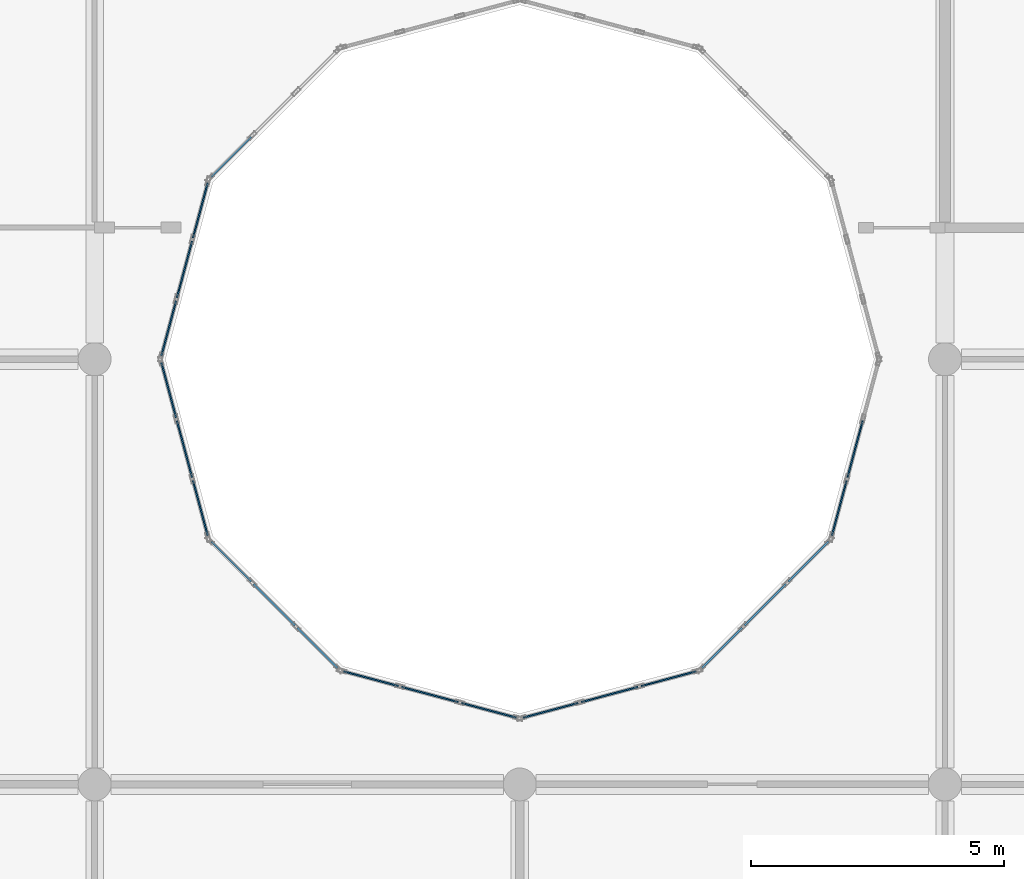
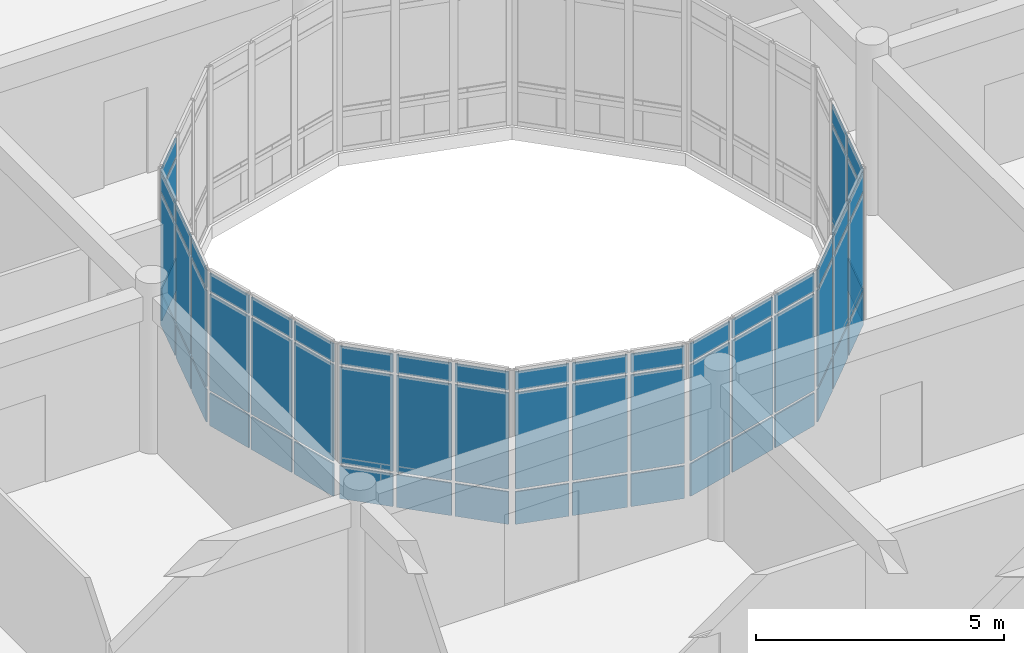
# One storey, part 66 of 119: 63 plates, 8 elements without a shape of their own.
"""IFC4 building model written with IfcOpenShell, lengths in metres."""

from ifc_helpers import new_model, si_unit, direction, frame, origin, origin_2d, place, context, subcontext, project, spatial, rectangle, extrude, material, layer, layer_set, type_object, element, aggregate, save


model = new_model("IFC4")

# Units and contexts
model_context = context("Model", 3, precision=1e-05, world=origin(), true_north=direction((0.0, 1.0)))
body_context = subcontext(model_context, "Body", "Model", "MODEL_VIEW")
ifc_project = project(units=[si_unit("LENGTHUNIT", "METRE"), si_unit("AREAUNIT", "SQUARE_METRE"), si_unit("VOLUMEUNIT", "CUBIC_METRE"), si_unit("PLANEANGLEUNIT", "RADIAN"), si_unit("MASSUNIT", "GRAM", prefix="KILO")], contexts=[model_context])

# Site, building, storey
site_placement = place(None, origin())
site = spatial("IfcSite", under=ifc_project, at=site_placement, CompositionType="ELEMENT")
building_placement = place(site_placement, origin())
building = spatial("IfcBuilding", under=site, at=building_placement, Name="Bramfleet General Hospital", CompositionType="ELEMENT")
storey_placement = place(building_placement, frame((0.0, 0.0, 14.39990234375)))
storey = spatial("IfcBuildingStorey", under=building, at=storey_placement, Name="L03", CompositionType="ELEMENT", Elevation=14.39990234375)

# Curtain wall, plates
ifc_material_1 = material(Name="Anodised aluminium and low-E triple glazing", Category="aluminium")
ifc_layer_1 = layer(ifc_material_1, 0.179931640625, Name="CWT-CW-13")
ifc_layer_set_1 = layer_set([ifc_layer_1], Name="Anodised aluminium and low-E triple glazing")
curtain_wall_type_1 = type_object("IfcCurtainWallType", Name="CWT-CW-13", PredefinedType="USERDEFINED", material=ifc_layer_set_1)
curtain_wall_1_placement = place(storey_placement, origin())
curtain_wall_1 = element("IfcCurtainWall", 1, at=curtain_wall_1_placement, inside=storey, type_object=curtain_wall_type_1, Name="L03 Central Diagnostic Light Court Curtain Wall 1.1", ObjectType="Stick curtain wall", PredefinedType="USERDEFINED")
ifc_material_2 = material(Name="Low-E laminated safety glass", Category="glass")
ifc_layer_2 = layer(ifc_material_2, 0.031982421875, Name="CWP-GLZ-2")
ifc_layer_set_2 = layer_set([ifc_layer_2], Name="Low-E laminated safety glass")
plate_type = type_object("IfcPlateType", Name="CWP-GLZ-2", PredefinedType="CURTAIN_PANEL", material=ifc_layer_set_2)
plate_1_placement = place(storey_placement, frame((77.06298828125, 74.991455078125, 0.06494140625), z_axis=(0.0, 0.0, 1.0), x_axis=(0.258763286618, -0.965940765005, 0.0)))
plate_1 = element("IfcPlate", 2, at=plate_1_placement, type_object=plate_type, Name="CW-13 panel 1.1", PredefinedType="CURTAIN_PANEL", context=body_context, shape_type="SweptSolid", body=[
    extrude(rectangle(XDim=1.1201171875, YDim=0.031982421875, at=origin_2d()), origin(), (0.0, 0.0, 1.0), 0.802490234375),
])
plate_2_placement = place(storey_placement, frame((77.06298828125, 74.991455078125, 0.9326171875), z_axis=(0.0, 0.0, 1.0), x_axis=(0.258763286618, -0.965940765005, 0.0)))
plate_2 = element("IfcPlate", 3, at=plate_2_placement, type_object=plate_type, Name="CW-13 panel 1.2", PredefinedType="CURTAIN_PANEL", context=body_context, shape_type="SweptSolid", body=[
    extrude(rectangle(XDim=1.1201171875, YDim=0.031982421875, at=origin_2d()), origin(), (0.0, 0.0, 1.0), 2.375),
])
plate_3_placement = place(storey_placement, frame((77.06298828125, 74.991455078125, 3.37255859375), z_axis=(0.0, 0.0, 1.0), x_axis=(0.258763286618, -0.965940765005, 0.0)))
plate_3 = element("IfcPlate", 4, at=plate_3_placement, type_object=plate_type, Name="CW-13 panel 1.3", PredefinedType="CURTAIN_PANEL", context=body_context, shape_type="SweptSolid", body=[
    extrude(rectangle(XDim=1.1201171875, YDim=0.031982421875, at=origin_2d()), origin(), (0.0, 0.0, 1.0), 0.452392578125),
])
plate_4_placement = place(storey_placement, frame((77.37548828125, 73.824951171875, 0.06494140625), z_axis=(0.0, 0.0, 1.0), x_axis=(0.258763286618, -0.965940765005, 0.0)))
plate_4 = element("IfcPlate", 5, at=plate_4_placement, type_object=plate_type, Name="CW-13 panel 2.1", PredefinedType="CURTAIN_PANEL", context=body_context, shape_type="SweptSolid", body=[
    extrude(rectangle(XDim=1.155029296875, YDim=0.031982421875, at=origin_2d()), origin(), (0.0, 0.0, 1.0), 0.802490234375),
])
plate_5_placement = place(storey_placement, frame((77.37548828125, 73.824951171875, 0.9326171875), z_axis=(0.0, 0.0, 1.0), x_axis=(0.258763286618, -0.965940765005, 0.0)))
plate_5 = element("IfcPlate", 6, at=plate_5_placement, type_object=plate_type, Name="CW-13 panel 2.2", PredefinedType="CURTAIN_PANEL", context=body_context, shape_type="SweptSolid", body=[
    extrude(rectangle(XDim=1.155029296875, YDim=0.031982421875, at=origin_2d()), origin(), (0.0, 0.0, 1.0), 2.375),
])
plate_6_placement = place(storey_placement, frame((77.37548828125, 73.824951171875, 3.37255859375), z_axis=(0.0, 0.0, 1.0), x_axis=(0.258763286618, -0.965940765005, 0.0)))
plate_6 = element("IfcPlate", 7, at=plate_6_placement, type_object=plate_type, Name="CW-13 panel 2.3", PredefinedType="CURTAIN_PANEL", context=body_context, shape_type="SweptSolid", body=[
    extrude(rectangle(XDim=1.155029296875, YDim=0.031982421875, at=origin_2d()), origin(), (0.0, 0.0, 1.0), 0.452392578125),
])
plate_7_placement = place(storey_placement, frame((77.68798828125, 72.65869140625, 0.06494140625), z_axis=(0.0, 0.0, 1.0), x_axis=(0.258763286618, -0.965940765005, 0.0)))
plate_7 = element("IfcPlate", 8, at=plate_7_placement, type_object=plate_type, Name="CW-13 panel 3.1", PredefinedType="CURTAIN_PANEL", context=body_context, shape_type="SweptSolid", body=[
    extrude(rectangle(XDim=1.1201171875, YDim=0.031982421875, at=origin_2d()), origin(), (0.0, 0.0, 1.0), 0.802490234375),
])
plate_8_placement = place(storey_placement, frame((77.68798828125, 72.65869140625, 0.9326171875), z_axis=(0.0, 0.0, 1.0), x_axis=(0.258763286618, -0.965940765005, 0.0)))
plate_8 = element("IfcPlate", 9, at=plate_8_placement, type_object=plate_type, Name="CW-13 panel 3.2", PredefinedType="CURTAIN_PANEL", context=body_context, shape_type="SweptSolid", body=[
    extrude(rectangle(XDim=1.1201171875, YDim=0.031982421875, at=origin_2d()), origin(), (0.0, 0.0, 1.0), 2.375),
])
plate_9_placement = place(storey_placement, frame((77.68798828125, 72.65869140625, 3.37255859375), z_axis=(0.0, 0.0, 1.0), x_axis=(0.258763286618, -0.965940765005, 0.0)))
plate_9 = element("IfcPlate", 10, at=plate_9_placement, type_object=plate_type, Name="CW-13 panel 3.3", PredefinedType="CURTAIN_PANEL", context=body_context, shape_type="SweptSolid", body=[
    extrude(rectangle(XDim=1.1201171875, YDim=0.031982421875, at=origin_2d()), origin(), (0.0, 0.0, 1.0), 0.452392578125),
])
aggregate(curtain_wall_1, [plate_1, plate_2, plate_3, plate_4, plate_5, plate_6, plate_7, plate_8, plate_9])

ifc_layer_3 = layer(ifc_material_1, 0.179931640625, Name="CWT-CW-14")
ifc_layer_set_3 = layer_set([ifc_layer_3], Name="Anodised aluminium and low-E triple glazing")
curtain_wall_type_2 = type_object("IfcCurtainWallType", Name="CWT-CW-14", PredefinedType="USERDEFINED", material=ifc_layer_set_3)
curtain_wall_2_placement = place(storey_placement, origin())
curtain_wall_2 = element("IfcCurtainWall", 11, at=curtain_wall_2_placement, inside=storey, type_object=curtain_wall_type_2, Name="L03 Central Diagnostic Light Court Curtain Wall 2.1", ObjectType="Stick curtain wall", PredefinedType="USERDEFINED")
plate_10_placement = place(storey_placement, frame((78.296630859375, 71.6044921875, 0.06494140625), z_axis=(0.0, 0.0, 1.0), x_axis=(0.707106781187, -0.707106781187, 0.0)))
plate_10 = element("IfcPlate", 12, at=plate_10_placement, type_object=plate_type, Name="CW-14 panel 1.1", PredefinedType="CURTAIN_PANEL", context=body_context, shape_type="SweptSolid", body=[
    extrude(rectangle(XDim=1.1201171875, YDim=0.031982421875, at=origin_2d()), origin(), (0.0, 0.0, 1.0), 0.802490234375),
])
plate_11_placement = place(storey_placement, frame((78.296630859375, 71.6044921875, 0.9326171875), z_axis=(0.0, 0.0, 1.0), x_axis=(0.707106781187, -0.707106781187, 0.0)))
plate_11 = element("IfcPlate", 13, at=plate_11_placement, type_object=plate_type, Name="CW-14 panel 1.2", PredefinedType="CURTAIN_PANEL", context=body_context, shape_type="SweptSolid", body=[
    extrude(rectangle(XDim=1.1201171875, YDim=0.031982421875, at=origin_2d()), origin(), (0.0, 0.0, 1.0), 2.375),
])
plate_12_placement = place(storey_placement, frame((78.296630859375, 71.6044921875, 3.37255859375), z_axis=(0.0, 0.0, 1.0), x_axis=(0.707106781187, -0.707106781187, 0.0)))
plate_12 = element("IfcPlate", 14, at=plate_12_placement, type_object=plate_type, Name="CW-14 panel 1.3", PredefinedType="CURTAIN_PANEL", context=body_context, shape_type="SweptSolid", body=[
    extrude(rectangle(XDim=1.1201171875, YDim=0.031982421875, at=origin_2d()), origin(), (0.0, 0.0, 1.0), 0.452392578125),
])
plate_13_placement = place(storey_placement, frame((79.150390625, 70.75048828125, 0.06494140625), z_axis=(0.0, 0.0, 1.0), x_axis=(0.707106781187, -0.707106781187, 0.0)))
plate_13 = element("IfcPlate", 15, at=plate_13_placement, type_object=plate_type, Name="CW-14 panel 2.1", PredefinedType="CURTAIN_PANEL", context=body_context, shape_type="SweptSolid", body=[
    extrude(rectangle(XDim=1.1552734375, YDim=0.031982421875, at=origin_2d()), origin(), (0.0, 0.0, 1.0), 0.802490234375),
])
plate_14_placement = place(storey_placement, frame((79.150390625, 70.75048828125, 0.9326171875), z_axis=(0.0, 0.0, 1.0), x_axis=(0.707106781187, -0.707106781187, 0.0)))
plate_14 = element("IfcPlate", 16, at=plate_14_placement, type_object=plate_type, Name="CW-14 panel 2.2", PredefinedType="CURTAIN_PANEL", context=body_context, shape_type="SweptSolid", body=[
    extrude(rectangle(XDim=1.1552734375, YDim=0.031982421875, at=origin_2d()), origin(), (0.0, 0.0, 1.0), 2.375),
])
plate_15_placement = place(storey_placement, frame((79.150390625, 70.75048828125, 3.37255859375), z_axis=(0.0, 0.0, 1.0), x_axis=(0.707106781187, -0.707106781187, 0.0)))
plate_15 = element("IfcPlate", 17, at=plate_15_placement, type_object=plate_type, Name="CW-14 panel 2.3", PredefinedType="CURTAIN_PANEL", context=body_context, shape_type="SweptSolid", body=[
    extrude(rectangle(XDim=1.1552734375, YDim=0.031982421875, at=origin_2d()), origin(), (0.0, 0.0, 1.0), 0.452392578125),
])
plate_16_placement = place(storey_placement, frame((80.00439453125, 69.896484375, 0.06494140625), z_axis=(0.0, 0.0, 1.0), x_axis=(0.707106781187, -0.707106781187, 0.0)))
plate_16 = element("IfcPlate", 18, at=plate_16_placement, type_object=plate_type, Name="CW-14 panel 3.1", PredefinedType="CURTAIN_PANEL", context=body_context, shape_type="SweptSolid", body=[
    extrude(rectangle(XDim=1.1201171875, YDim=0.031982421875, at=origin_2d()), origin(), (0.0, 0.0, 1.0), 0.802490234375),
])
plate_17_placement = place(storey_placement, frame((80.00439453125, 69.896484375, 0.9326171875), z_axis=(0.0, 0.0, 1.0), x_axis=(0.707106781187, -0.707106781187, 0.0)))
plate_17 = element("IfcPlate", 19, at=plate_17_placement, type_object=plate_type, Name="CW-14 panel 3.2", PredefinedType="CURTAIN_PANEL", context=body_context, shape_type="SweptSolid", body=[
    extrude(rectangle(XDim=1.1201171875, YDim=0.031982421875, at=origin_2d()), origin(), (0.0, 0.0, 1.0), 2.375),
])
plate_18_placement = place(storey_placement, frame((80.00439453125, 69.896484375, 3.37255859375), z_axis=(0.0, 0.0, 1.0), x_axis=(0.707106781187, -0.707106781187, 0.0)))
plate_18 = element("IfcPlate", 20, at=plate_18_placement, type_object=plate_type, Name="CW-14 panel 3.3", PredefinedType="CURTAIN_PANEL", context=body_context, shape_type="SweptSolid", body=[
    extrude(rectangle(XDim=1.1201171875, YDim=0.031982421875, at=origin_2d()), origin(), (0.0, 0.0, 1.0), 0.452392578125),
])
aggregate(curtain_wall_2, [plate_10, plate_11, plate_12, plate_13, plate_14, plate_15, plate_16, plate_17, plate_18])

ifc_layer_4 = layer(ifc_material_1, 0.179931640625, Name="CWT-CW-15")
ifc_layer_set_4 = layer_set([ifc_layer_4], Name="Anodised aluminium and low-E triple glazing")
curtain_wall_type_3 = type_object("IfcCurtainWallType", Name="CWT-CW-15", PredefinedType="USERDEFINED", material=ifc_layer_set_4)
curtain_wall_3_placement = place(storey_placement, origin())
curtain_wall_3 = element("IfcCurtainWall", 21, at=curtain_wall_3_placement, inside=storey, type_object=curtain_wall_type_3, Name="L03 Central Diagnostic Light Court Curtain Wall 3.1", ObjectType="Stick curtain wall", PredefinedType="USERDEFINED")
plate_19_placement = place(storey_placement, frame((81.05859375, 69.2880859375, 0.06494140625), z_axis=(0.0, 0.0, 1.0), x_axis=(0.965940765005, -0.258763286618, 0.0)))
plate_19 = element("IfcPlate", 22, at=plate_19_placement, type_object=plate_type, Name="CW-15 panel 1.1", PredefinedType="CURTAIN_PANEL", context=body_context, shape_type="SweptSolid", body=[
    extrude(rectangle(XDim=1.1201171875, YDim=0.031982421875, at=origin_2d()), origin(), (0.0, 0.0, 1.0), 0.802490234375),
])
plate_20_placement = place(storey_placement, frame((81.05859375, 69.2880859375, 0.9326171875), z_axis=(0.0, 0.0, 1.0), x_axis=(0.965940765005, -0.258763286618, 0.0)))
plate_20 = element("IfcPlate", 23, at=plate_20_placement, type_object=plate_type, Name="CW-15 panel 1.2", PredefinedType="CURTAIN_PANEL", context=body_context, shape_type="SweptSolid", body=[
    extrude(rectangle(XDim=1.1201171875, YDim=0.031982421875, at=origin_2d()), origin(), (0.0, 0.0, 1.0), 2.375),
])
plate_21_placement = place(storey_placement, frame((81.05859375, 69.2880859375, 3.37255859375), z_axis=(0.0, 0.0, 1.0), x_axis=(0.965940765005, -0.258763286618, 0.0)))
plate_21 = element("IfcPlate", 24, at=plate_21_placement, type_object=plate_type, Name="CW-15 panel 1.3", PredefinedType="CURTAIN_PANEL", context=body_context, shape_type="SweptSolid", body=[
    extrude(rectangle(XDim=1.1201171875, YDim=0.031982421875, at=origin_2d()), origin(), (0.0, 0.0, 1.0), 0.452392578125),
])
plate_22_placement = place(storey_placement, frame((82.22509765625, 68.9755859375, 0.06494140625), z_axis=(0.0, 0.0, 1.0), x_axis=(0.965940765005, -0.258763286618, 0.0)))
plate_22 = element("IfcPlate", 25, at=plate_22_placement, type_object=plate_type, Name="CW-15 panel 2.1", PredefinedType="CURTAIN_PANEL", context=body_context, shape_type="SweptSolid", body=[
    extrude(rectangle(XDim=1.155029296875, YDim=0.031982421875, at=origin_2d()), origin(), (0.0, 0.0, 1.0), 0.802490234375),
])
plate_23_placement = place(storey_placement, frame((82.22509765625, 68.9755859375, 0.9326171875), z_axis=(0.0, 0.0, 1.0), x_axis=(0.965940765005, -0.258763286618, 0.0)))
plate_23 = element("IfcPlate", 26, at=plate_23_placement, type_object=plate_type, Name="CW-15 panel 2.2", PredefinedType="CURTAIN_PANEL", context=body_context, shape_type="SweptSolid", body=[
    extrude(rectangle(XDim=1.155029296875, YDim=0.031982421875, at=origin_2d()), origin(), (0.0, 0.0, 1.0), 2.375),
])
plate_24_placement = place(storey_placement, frame((82.22509765625, 68.9755859375, 3.37255859375), z_axis=(0.0, 0.0, 1.0), x_axis=(0.965940765005, -0.258763286618, 0.0)))
plate_24 = element("IfcPlate", 27, at=plate_24_placement, type_object=plate_type, Name="CW-15 panel 2.3", PredefinedType="CURTAIN_PANEL", context=body_context, shape_type="SweptSolid", body=[
    extrude(rectangle(XDim=1.155029296875, YDim=0.031982421875, at=origin_2d()), origin(), (0.0, 0.0, 1.0), 0.452392578125),
])
plate_25_placement = place(storey_placement, frame((83.391357421875, 68.6630859375, 0.06494140625), z_axis=(0.0, 0.0, 1.0), x_axis=(0.965940765005, -0.258763286618, 0.0)))
plate_25 = element("IfcPlate", 28, at=plate_25_placement, type_object=plate_type, Name="CW-15 panel 3.1", PredefinedType="CURTAIN_PANEL", context=body_context, shape_type="SweptSolid", body=[
    extrude(rectangle(XDim=1.1201171875, YDim=0.031982421875, at=origin_2d()), origin(), (0.0, 0.0, 1.0), 0.802490234375),
])
plate_26_placement = place(storey_placement, frame((83.391357421875, 68.6630859375, 0.9326171875), z_axis=(0.0, 0.0, 1.0), x_axis=(0.965940765005, -0.258763286618, 0.0)))
plate_26 = element("IfcPlate", 29, at=plate_26_placement, type_object=plate_type, Name="CW-15 panel 3.2", PredefinedType="CURTAIN_PANEL", context=body_context, shape_type="SweptSolid", body=[
    extrude(rectangle(XDim=1.1201171875, YDim=0.031982421875, at=origin_2d()), origin(), (0.0, 0.0, 1.0), 2.375),
])
plate_27_placement = place(storey_placement, frame((83.391357421875, 68.6630859375, 3.37255859375), z_axis=(0.0, 0.0, 1.0), x_axis=(0.965940765005, -0.258763286618, 0.0)))
plate_27 = element("IfcPlate", 30, at=plate_27_placement, type_object=plate_type, Name="CW-15 panel 3.3", PredefinedType="CURTAIN_PANEL", context=body_context, shape_type="SweptSolid", body=[
    extrude(rectangle(XDim=1.1201171875, YDim=0.031982421875, at=origin_2d()), origin(), (0.0, 0.0, 1.0), 0.452392578125),
])
aggregate(curtain_wall_3, [plate_19, plate_20, plate_21, plate_22, plate_23, plate_24, plate_25, plate_26, plate_27])

ifc_layer_5 = layer(ifc_material_1, 0.179931640625, Name="CWT-CW-16")
ifc_layer_set_5 = layer_set([ifc_layer_5], Name="Anodised aluminium and low-E triple glazing")
curtain_wall_type_4 = type_object("IfcCurtainWallType", Name="CWT-CW-16", PredefinedType="USERDEFINED", material=ifc_layer_set_5)
curtain_wall_4_placement = place(storey_placement, origin())
curtain_wall_4 = element("IfcCurtainWall", 31, at=curtain_wall_4_placement, inside=storey, type_object=curtain_wall_type_4, Name="L03 Central Diagnostic Light Court Curtain Wall 4.1", ObjectType="Stick curtain wall", PredefinedType="USERDEFINED")
plate_28_placement = place(storey_placement, frame((84.608642578125, 68.6630859375, 0.06494140625), z_axis=(0.0, 0.0, 1.0), x_axis=(0.965940765005, 0.258763286618, 0.0)))
plate_28 = element("IfcPlate", 32, at=plate_28_placement, type_object=plate_type, Name="CW-16 panel 1.1", PredefinedType="CURTAIN_PANEL", context=body_context, shape_type="SweptSolid", body=[
    extrude(rectangle(XDim=1.1201171875, YDim=0.031982421875, at=origin_2d()), origin(), (0.0, 0.0, 1.0), 0.802490234375),
])
plate_29_placement = place(storey_placement, frame((84.608642578125, 68.6630859375, 0.9326171875), z_axis=(0.0, 0.0, 1.0), x_axis=(0.965940765005, 0.258763286618, 0.0)))
plate_29 = element("IfcPlate", 33, at=plate_29_placement, type_object=plate_type, Name="CW-16 panel 1.2", PredefinedType="CURTAIN_PANEL", context=body_context, shape_type="SweptSolid", body=[
    extrude(rectangle(XDim=1.1201171875, YDim=0.031982421875, at=origin_2d()), origin(), (0.0, 0.0, 1.0), 2.375),
])
plate_30_placement = place(storey_placement, frame((84.608642578125, 68.6630859375, 3.37255859375), z_axis=(0.0, 0.0, 1.0), x_axis=(0.965940765005, 0.258763286618, 0.0)))
plate_30 = element("IfcPlate", 34, at=plate_30_placement, type_object=plate_type, Name="CW-16 panel 1.3", PredefinedType="CURTAIN_PANEL", context=body_context, shape_type="SweptSolid", body=[
    extrude(rectangle(XDim=1.1201171875, YDim=0.031982421875, at=origin_2d()), origin(), (0.0, 0.0, 1.0), 0.452392578125),
])
plate_31_placement = place(storey_placement, frame((85.77490234375, 68.9755859375, 0.06494140625), z_axis=(0.0, 0.0, 1.0), x_axis=(0.965940765005, 0.258763286618, 0.0)))
plate_31 = element("IfcPlate", 35, at=plate_31_placement, type_object=plate_type, Name="CW-16 panel 2.1", PredefinedType="CURTAIN_PANEL", context=body_context, shape_type="SweptSolid", body=[
    extrude(rectangle(XDim=1.155029296875, YDim=0.031982421875, at=origin_2d()), origin(), (0.0, 0.0, 1.0), 0.802490234375),
])
plate_32_placement = place(storey_placement, frame((85.77490234375, 68.9755859375, 0.9326171875), z_axis=(0.0, 0.0, 1.0), x_axis=(0.965940765005, 0.258763286618, 0.0)))
plate_32 = element("IfcPlate", 36, at=plate_32_placement, type_object=plate_type, Name="CW-16 panel 2.2", PredefinedType="CURTAIN_PANEL", context=body_context, shape_type="SweptSolid", body=[
    extrude(rectangle(XDim=1.155029296875, YDim=0.031982421875, at=origin_2d()), origin(), (0.0, 0.0, 1.0), 2.375),
])
plate_33_placement = place(storey_placement, frame((85.77490234375, 68.9755859375, 3.37255859375), z_axis=(0.0, 0.0, 1.0), x_axis=(0.965940765005, 0.258763286618, 0.0)))
plate_33 = element("IfcPlate", 37, at=plate_33_placement, type_object=plate_type, Name="CW-16 panel 2.3", PredefinedType="CURTAIN_PANEL", context=body_context, shape_type="SweptSolid", body=[
    extrude(rectangle(XDim=1.155029296875, YDim=0.031982421875, at=origin_2d()), origin(), (0.0, 0.0, 1.0), 0.452392578125),
])
plate_34_placement = place(storey_placement, frame((86.94140625, 69.2880859375, 0.06494140625), z_axis=(0.0, 0.0, 1.0), x_axis=(0.965940765005, 0.258763286618, 0.0)))
plate_34 = element("IfcPlate", 38, at=plate_34_placement, type_object=plate_type, Name="CW-16 panel 3.1", PredefinedType="CURTAIN_PANEL", context=body_context, shape_type="SweptSolid", body=[
    extrude(rectangle(XDim=1.1201171875, YDim=0.031982421875, at=origin_2d()), origin(), (0.0, 0.0, 1.0), 0.802490234375),
])
plate_35_placement = place(storey_placement, frame((86.94140625, 69.2880859375, 0.9326171875), z_axis=(0.0, 0.0, 1.0), x_axis=(0.965940765005, 0.258763286618, 0.0)))
plate_35 = element("IfcPlate", 39, at=plate_35_placement, type_object=plate_type, Name="CW-16 panel 3.2", PredefinedType="CURTAIN_PANEL", context=body_context, shape_type="SweptSolid", body=[
    extrude(rectangle(XDim=1.1201171875, YDim=0.031982421875, at=origin_2d()), origin(), (0.0, 0.0, 1.0), 2.375),
])
plate_36_placement = place(storey_placement, frame((86.94140625, 69.2880859375, 3.37255859375), z_axis=(0.0, 0.0, 1.0), x_axis=(0.965940765005, 0.258763286618, 0.0)))
plate_36 = element("IfcPlate", 40, at=plate_36_placement, type_object=plate_type, Name="CW-16 panel 3.3", PredefinedType="CURTAIN_PANEL", context=body_context, shape_type="SweptSolid", body=[
    extrude(rectangle(XDim=1.1201171875, YDim=0.031982421875, at=origin_2d()), origin(), (0.0, 0.0, 1.0), 0.452392578125),
])
aggregate(curtain_wall_4, [plate_28, plate_29, plate_30, plate_31, plate_32, plate_33, plate_34, plate_35, plate_36])

ifc_layer_6 = layer(ifc_material_1, 0.179931640625, Name="CWT-CW-17")
ifc_layer_set_6 = layer_set([ifc_layer_6], Name="Anodised aluminium and low-E triple glazing")
curtain_wall_type_5 = type_object("IfcCurtainWallType", Name="CWT-CW-17", PredefinedType="USERDEFINED", material=ifc_layer_set_6)
curtain_wall_5_placement = place(storey_placement, origin())
curtain_wall_5 = element("IfcCurtainWall", 41, at=curtain_wall_5_placement, inside=storey, type_object=curtain_wall_type_5, Name="L03 Central Diagnostic Light Court Curtain Wall 5.1", ObjectType="Stick curtain wall", PredefinedType="USERDEFINED")
plate_37_placement = place(storey_placement, frame((87.99560546875, 69.896484375, 0.06494140625), z_axis=(0.0, 0.0, 1.0), x_axis=(0.707106781187, 0.707106781187, 0.0)))
plate_37 = element("IfcPlate", 42, at=plate_37_placement, type_object=plate_type, Name="CW-17 panel 1.1", PredefinedType="CURTAIN_PANEL", context=body_context, shape_type="SweptSolid", body=[
    extrude(rectangle(XDim=1.1201171875, YDim=0.031982421875, at=origin_2d()), origin(), (0.0, 0.0, 1.0), 0.802490234375),
])
plate_38_placement = place(storey_placement, frame((87.99560546875, 69.896484375, 0.9326171875), z_axis=(0.0, 0.0, 1.0), x_axis=(0.707106781187, 0.707106781187, 0.0)))
plate_38 = element("IfcPlate", 43, at=plate_38_placement, type_object=plate_type, Name="CW-17 panel 1.2", PredefinedType="CURTAIN_PANEL", context=body_context, shape_type="SweptSolid", body=[
    extrude(rectangle(XDim=1.1201171875, YDim=0.031982421875, at=origin_2d()), origin(), (0.0, 0.0, 1.0), 2.375),
])
plate_39_placement = place(storey_placement, frame((87.99560546875, 69.896484375, 3.37255859375), z_axis=(0.0, 0.0, 1.0), x_axis=(0.707106781187, 0.707106781187, 0.0)))
plate_39 = element("IfcPlate", 44, at=plate_39_placement, type_object=plate_type, Name="CW-17 panel 1.3", PredefinedType="CURTAIN_PANEL", context=body_context, shape_type="SweptSolid", body=[
    extrude(rectangle(XDim=1.1201171875, YDim=0.031982421875, at=origin_2d()), origin(), (0.0, 0.0, 1.0), 0.452392578125),
])
plate_40_placement = place(storey_placement, frame((88.849609375, 70.75048828125, 0.06494140625), z_axis=(0.0, 0.0, 1.0), x_axis=(0.707106781187, 0.707106781187, 0.0)))
plate_40 = element("IfcPlate", 45, at=plate_40_placement, type_object=plate_type, Name="CW-17 panel 2.1", PredefinedType="CURTAIN_PANEL", context=body_context, shape_type="SweptSolid", body=[
    extrude(rectangle(XDim=1.1552734375, YDim=0.031982421875, at=origin_2d()), origin(), (0.0, 0.0, 1.0), 0.802490234375),
])
plate_41_placement = place(storey_placement, frame((88.849609375, 70.75048828125, 0.9326171875), z_axis=(0.0, 0.0, 1.0), x_axis=(0.707106781187, 0.707106781187, 0.0)))
plate_41 = element("IfcPlate", 46, at=plate_41_placement, type_object=plate_type, Name="CW-17 panel 2.2", PredefinedType="CURTAIN_PANEL", context=body_context, shape_type="SweptSolid", body=[
    extrude(rectangle(XDim=1.1552734375, YDim=0.031982421875, at=origin_2d()), origin(), (0.0, 0.0, 1.0), 2.375),
])
plate_42_placement = place(storey_placement, frame((88.849609375, 70.75048828125, 3.37255859375), z_axis=(0.0, 0.0, 1.0), x_axis=(0.707106781187, 0.707106781187, 0.0)))
plate_42 = element("IfcPlate", 47, at=plate_42_placement, type_object=plate_type, Name="CW-17 panel 2.3", PredefinedType="CURTAIN_PANEL", context=body_context, shape_type="SweptSolid", body=[
    extrude(rectangle(XDim=1.1552734375, YDim=0.031982421875, at=origin_2d()), origin(), (0.0, 0.0, 1.0), 0.452392578125),
])
plate_43_placement = place(storey_placement, frame((89.703369140625, 71.6044921875, 0.06494140625), z_axis=(0.0, 0.0, 1.0), x_axis=(0.707106781187, 0.707106781187, 0.0)))
plate_43 = element("IfcPlate", 48, at=plate_43_placement, type_object=plate_type, Name="CW-17 panel 3.1", PredefinedType="CURTAIN_PANEL", context=body_context, shape_type="SweptSolid", body=[
    extrude(rectangle(XDim=1.1201171875, YDim=0.031982421875, at=origin_2d()), origin(), (0.0, 0.0, 1.0), 0.802490234375),
])
plate_44_placement = place(storey_placement, frame((89.703369140625, 71.6044921875, 0.9326171875), z_axis=(0.0, 0.0, 1.0), x_axis=(0.707106781187, 0.707106781187, 0.0)))
plate_44 = element("IfcPlate", 49, at=plate_44_placement, type_object=plate_type, Name="CW-17 panel 3.2", PredefinedType="CURTAIN_PANEL", context=body_context, shape_type="SweptSolid", body=[
    extrude(rectangle(XDim=1.1201171875, YDim=0.031982421875, at=origin_2d()), origin(), (0.0, 0.0, 1.0), 2.375),
])
plate_45_placement = place(storey_placement, frame((89.703369140625, 71.6044921875, 3.37255859375), z_axis=(0.0, 0.0, 1.0), x_axis=(0.707106781187, 0.707106781187, 0.0)))
plate_45 = element("IfcPlate", 50, at=plate_45_placement, type_object=plate_type, Name="CW-17 panel 3.3", PredefinedType="CURTAIN_PANEL", context=body_context, shape_type="SweptSolid", body=[
    extrude(rectangle(XDim=1.1201171875, YDim=0.031982421875, at=origin_2d()), origin(), (0.0, 0.0, 1.0), 0.452392578125),
])
aggregate(curtain_wall_5, [plate_37, plate_38, plate_39, plate_40, plate_41, plate_42, plate_43, plate_44, plate_45])

ifc_layer_7 = layer(ifc_material_1, 0.179931640625, Name="CWT-CW-18")
ifc_layer_set_7 = layer_set([ifc_layer_7], Name="Anodised aluminium and low-E triple glazing")
curtain_wall_type_6 = type_object("IfcCurtainWallType", Name="CWT-CW-18", PredefinedType="USERDEFINED", material=ifc_layer_set_7)
curtain_wall_6_placement = place(storey_placement, origin())
curtain_wall_6 = element("IfcCurtainWall", 51, at=curtain_wall_6_placement, inside=storey, type_object=curtain_wall_type_6, Name="L03 Central Diagnostic Light Court Curtain Wall 6.1", ObjectType="Stick curtain wall", PredefinedType="USERDEFINED")
plate_46_placement = place(storey_placement, frame((90.31201171875, 72.65869140625, 0.06494140625), z_axis=(0.0, 0.0, 1.0), x_axis=(0.258763286618, 0.965940765005, 0.0)))
plate_46 = element("IfcPlate", 52, at=plate_46_placement, type_object=plate_type, Name="CW-18 panel 1.1", PredefinedType="CURTAIN_PANEL", context=body_context, shape_type="SweptSolid", body=[
    extrude(rectangle(XDim=1.1201171875, YDim=0.031982421875, at=origin_2d()), origin(), (0.0, 0.0, 1.0), 0.802490234375),
])
plate_47_placement = place(storey_placement, frame((90.31201171875, 72.65869140625, 0.9326171875), z_axis=(0.0, 0.0, 1.0), x_axis=(0.258763286618, 0.965940765005, 0.0)))
plate_47 = element("IfcPlate", 53, at=plate_47_placement, type_object=plate_type, Name="CW-18 panel 1.2", PredefinedType="CURTAIN_PANEL", context=body_context, shape_type="SweptSolid", body=[
    extrude(rectangle(XDim=1.1201171875, YDim=0.031982421875, at=origin_2d()), origin(), (0.0, 0.0, 1.0), 2.375),
])
plate_48_placement = place(storey_placement, frame((90.31201171875, 72.65869140625, 3.37255859375), z_axis=(0.0, 0.0, 1.0), x_axis=(0.258763286618, 0.965940765005, 0.0)))
plate_48 = element("IfcPlate", 54, at=plate_48_placement, type_object=plate_type, Name="CW-18 panel 1.3", PredefinedType="CURTAIN_PANEL", context=body_context, shape_type="SweptSolid", body=[
    extrude(rectangle(XDim=1.1201171875, YDim=0.031982421875, at=origin_2d()), origin(), (0.0, 0.0, 1.0), 0.452392578125),
])
plate_49_placement = place(storey_placement, frame((90.62451171875, 73.824951171875, 0.06494140625), z_axis=(0.0, 0.0, 1.0), x_axis=(0.258763286618, 0.965940765005, 0.0)))
plate_49 = element("IfcPlate", 55, at=plate_49_placement, type_object=plate_type, Name="CW-18 panel 2.1", PredefinedType="CURTAIN_PANEL", context=body_context, shape_type="SweptSolid", body=[
    extrude(rectangle(XDim=1.155029296875, YDim=0.031982421875, at=origin_2d()), origin(), (0.0, 0.0, 1.0), 0.802490234375),
])
plate_50_placement = place(storey_placement, frame((90.62451171875, 73.824951171875, 0.9326171875), z_axis=(0.0, 0.0, 1.0), x_axis=(0.258763286618, 0.965940765005, 0.0)))
plate_50 = element("IfcPlate", 56, at=plate_50_placement, type_object=plate_type, Name="CW-18 panel 2.2", PredefinedType="CURTAIN_PANEL", context=body_context, shape_type="SweptSolid", body=[
    extrude(rectangle(XDim=1.155029296875, YDim=0.031982421875, at=origin_2d()), origin(), (0.0, 0.0, 1.0), 2.375),
])
plate_51_placement = place(storey_placement, frame((90.62451171875, 73.824951171875, 3.37255859375), z_axis=(0.0, 0.0, 1.0), x_axis=(0.258763286618, 0.965940765005, 0.0)))
plate_51 = element("IfcPlate", 57, at=plate_51_placement, type_object=plate_type, Name="CW-18 panel 2.3", PredefinedType="CURTAIN_PANEL", context=body_context, shape_type="SweptSolid", body=[
    extrude(rectangle(XDim=1.155029296875, YDim=0.031982421875, at=origin_2d()), origin(), (0.0, 0.0, 1.0), 0.452392578125),
])
aggregate(curtain_wall_6, [plate_46, plate_47, plate_48, plate_49, plate_50, plate_51])

curtain_wall_7_placement = place(storey_placement, origin())
curtain_wall_7 = element("IfcCurtainWall", 58, at=curtain_wall_7_placement, inside=storey, type_object=curtain_wall_type_3, Name="L03 Central Diagnostic Light Court Curtain Wall 11.1", ObjectType="Stick curtain wall", PredefinedType="USERDEFINED")
plate_52_placement = place(storey_placement, frame((78.296630859375, 79.595458984375, 0.06494140625), z_axis=(0.0, 0.0, 1.0), x_axis=(-0.707106781187, -0.707106781187, 0.0)))
plate_52 = element("IfcPlate", 59, at=plate_52_placement, type_object=plate_type, Name="CW-15 panel 3.1", PredefinedType="CURTAIN_PANEL", context=body_context, shape_type="SweptSolid", body=[
    extrude(rectangle(XDim=1.1201171875, YDim=0.031982421875, at=origin_2d()), origin(), (0.0, 0.0, 1.0), 0.802490234375),
])
plate_53_placement = place(storey_placement, frame((78.296630859375, 79.595458984375, 0.9326171875), z_axis=(0.0, 0.0, 1.0), x_axis=(-0.707106781187, -0.707106781187, 0.0)))
plate_53 = element("IfcPlate", 60, at=plate_53_placement, type_object=plate_type, Name="CW-15 panel 3.2", PredefinedType="CURTAIN_PANEL", context=body_context, shape_type="SweptSolid", body=[
    extrude(rectangle(XDim=1.1201171875, YDim=0.031982421875, at=origin_2d()), origin(), (0.0, 0.0, 1.0), 2.375),
])
plate_54_placement = place(storey_placement, frame((78.296630859375, 79.595458984375, 3.37255859375), z_axis=(0.0, 0.0, 1.0), x_axis=(-0.707106781187, -0.707106781187, 0.0)))
plate_54 = element("IfcPlate", 61, at=plate_54_placement, type_object=plate_type, Name="CW-15 panel 3.3", PredefinedType="CURTAIN_PANEL", context=body_context, shape_type="SweptSolid", body=[
    extrude(rectangle(XDim=1.1201171875, YDim=0.031982421875, at=origin_2d()), origin(), (0.0, 0.0, 1.0), 0.452392578125),
])
aggregate(curtain_wall_7, [plate_52, plate_53, plate_54])

curtain_wall_8_placement = place(storey_placement, origin())
curtain_wall_8 = element("IfcCurtainWall", 62, at=curtain_wall_8_placement, inside=storey, type_object=curtain_wall_type_4, Name="L03 Central Diagnostic Light Court Curtain Wall 12.1", ObjectType="Stick curtain wall", PredefinedType="USERDEFINED")
plate_55_placement = place(storey_placement, frame((77.68798828125, 78.54150390625, 0.06494140625), z_axis=(0.0, 0.0, 1.0), x_axis=(-0.258763286618, -0.965940765005, 0.0)))
plate_55 = element("IfcPlate", 63, at=plate_55_placement, type_object=plate_type, Name="CW-16 panel 1.1", PredefinedType="CURTAIN_PANEL", context=body_context, shape_type="SweptSolid", body=[
    extrude(rectangle(XDim=1.1201171875, YDim=0.031982421875, at=origin_2d()), origin(), (0.0, 0.0, 1.0), 0.802490234375),
])
plate_56_placement = place(storey_placement, frame((77.68798828125, 78.54150390625, 0.9326171875), z_axis=(0.0, 0.0, 1.0), x_axis=(-0.258763286618, -0.965940765005, 0.0)))
plate_56 = element("IfcPlate", 64, at=plate_56_placement, type_object=plate_type, Name="CW-16 panel 1.2", PredefinedType="CURTAIN_PANEL", context=body_context, shape_type="SweptSolid", body=[
    extrude(rectangle(XDim=1.1201171875, YDim=0.031982421875, at=origin_2d()), origin(), (0.0, 0.0, 1.0), 2.375),
])
plate_57_placement = place(storey_placement, frame((77.68798828125, 78.54150390625, 3.37255859375), z_axis=(0.0, 0.0, 1.0), x_axis=(-0.258763286618, -0.965940765005, 0.0)))
plate_57 = element("IfcPlate", 65, at=plate_57_placement, type_object=plate_type, Name="CW-16 panel 1.3", PredefinedType="CURTAIN_PANEL", context=body_context, shape_type="SweptSolid", body=[
    extrude(rectangle(XDim=1.1201171875, YDim=0.031982421875, at=origin_2d()), origin(), (0.0, 0.0, 1.0), 0.452392578125),
])
plate_58_placement = place(storey_placement, frame((77.37548828125, 77.375, 0.06494140625), z_axis=(0.0, 0.0, 1.0), x_axis=(-0.258763286618, -0.965940765005, 0.0)))
plate_58 = element("IfcPlate", 66, at=plate_58_placement, type_object=plate_type, Name="CW-16 panel 2.1", PredefinedType="CURTAIN_PANEL", context=body_context, shape_type="SweptSolid", body=[
    extrude(rectangle(XDim=1.155029296875, YDim=0.031982421875, at=origin_2d()), origin(), (0.0, 0.0, 1.0), 0.802490234375),
])
plate_59_placement = place(storey_placement, frame((77.37548828125, 77.375, 0.9326171875), z_axis=(0.0, 0.0, 1.0), x_axis=(-0.258763286618, -0.965940765005, 0.0)))
plate_59 = element("IfcPlate", 67, at=plate_59_placement, type_object=plate_type, Name="CW-16 panel 2.2", PredefinedType="CURTAIN_PANEL", context=body_context, shape_type="SweptSolid", body=[
    extrude(rectangle(XDim=1.155029296875, YDim=0.031982421875, at=origin_2d()), origin(), (0.0, 0.0, 1.0), 2.375),
])
plate_60_placement = place(storey_placement, frame((77.37548828125, 77.375, 3.37255859375), z_axis=(0.0, 0.0, 1.0), x_axis=(-0.258763286618, -0.965940765005, 0.0)))
plate_60 = element("IfcPlate", 68, at=plate_60_placement, type_object=plate_type, Name="CW-16 panel 2.3", PredefinedType="CURTAIN_PANEL", context=body_context, shape_type="SweptSolid", body=[
    extrude(rectangle(XDim=1.155029296875, YDim=0.031982421875, at=origin_2d()), origin(), (0.0, 0.0, 1.0), 0.452392578125),
])
plate_61_placement = place(storey_placement, frame((77.06298828125, 76.20849609375, 0.06494140625), z_axis=(0.0, 0.0, 1.0), x_axis=(-0.258763286618, -0.965940765005, 0.0)))
plate_61 = element("IfcPlate", 69, at=plate_61_placement, type_object=plate_type, Name="CW-16 panel 3.1", PredefinedType="CURTAIN_PANEL", context=body_context, shape_type="SweptSolid", body=[
    extrude(rectangle(XDim=1.1201171875, YDim=0.031982421875, at=origin_2d()), origin(), (0.0, 0.0, 1.0), 0.802490234375),
])
plate_62_placement = place(storey_placement, frame((77.06298828125, 76.20849609375, 0.9326171875), z_axis=(0.0, 0.0, 1.0), x_axis=(-0.258763286618, -0.965940765005, 0.0)))
plate_62 = element("IfcPlate", 70, at=plate_62_placement, type_object=plate_type, Name="CW-16 panel 3.2", PredefinedType="CURTAIN_PANEL", context=body_context, shape_type="SweptSolid", body=[
    extrude(rectangle(XDim=1.1201171875, YDim=0.031982421875, at=origin_2d()), origin(), (0.0, 0.0, 1.0), 2.375),
])
plate_63_placement = place(storey_placement, frame((77.06298828125, 76.20849609375, 3.37255859375), z_axis=(0.0, 0.0, 1.0), x_axis=(-0.258763286618, -0.965940765005, 0.0)))
plate_63 = element("IfcPlate", 71, at=plate_63_placement, type_object=plate_type, Name="CW-16 panel 3.3", PredefinedType="CURTAIN_PANEL", context=body_context, shape_type="SweptSolid", body=[
    extrude(rectangle(XDim=1.1201171875, YDim=0.031982421875, at=origin_2d()), origin(), (0.0, 0.0, 1.0), 0.452392578125),
])
aggregate(curtain_wall_8, [plate_55, plate_56, plate_57, plate_58, plate_59, plate_60, plate_61, plate_62, plate_63])

save(model, "model.ifc")
